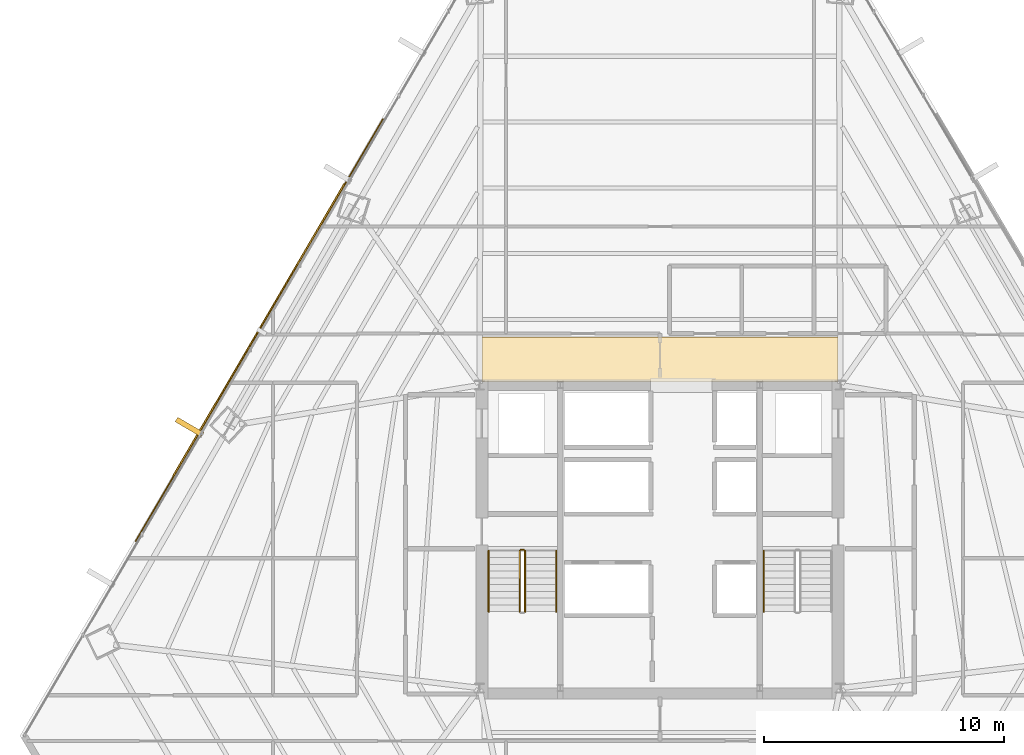
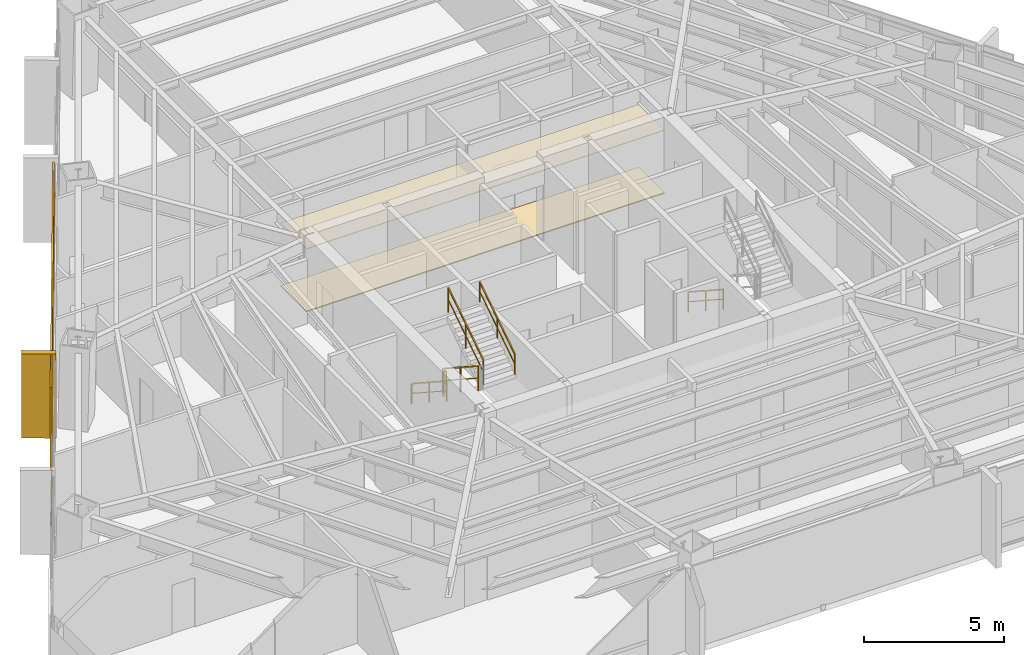
# One storey, part 35 of 37: 6 railings, 4 coverings, 1 shading device.
"""IFC4 building model written with IfcOpenShell, lengths in metres."""

from ifc_helpers import new_model, si_unit, direction, frame, origin, origin_2d, place, context, subcontext, project, spatial, polyline, rectangle, outline, extrude, source, transform, mapped, material, layer, layer_set, type_object, type_shapes, element, save


model = new_model("IFC4")

# Units and contexts
model_context = context("Model", 3, precision=1e-05, world=origin(), true_north=direction((0.0, 1.0)))
body_context = subcontext(model_context, "Body", "Model", "MODEL_VIEW")
ifc_project = project(units=[si_unit("LENGTHUNIT", "METRE"), si_unit("AREAUNIT", "SQUARE_METRE"), si_unit("VOLUMEUNIT", "CUBIC_METRE"), si_unit("PLANEANGLEUNIT", "RADIAN"), si_unit("MASSUNIT", "GRAM", prefix="KILO")], contexts=[model_context])

# Site, building, storey
site_placement = place(None, origin())
site = spatial("IfcSite", under=ifc_project, at=site_placement, CompositionType="ELEMENT")
building_placement = place(site_placement, origin())
building = spatial("IfcBuilding", under=site, at=building_placement, Name="Caelisora Broadcast Tower", CompositionType="ELEMENT")
storey_placement = place(building_placement, frame((0.0, 0.0, 101.75)))
storey = spatial("IfcBuildingStorey", under=building, at=storey_placement, Name="L26", CompositionType="ELEMENT", Elevation=101.75)

# Coverings
ifc_material_1 = material(Name="Perforated Mineral-Fibre Acoustic Ceiling Tile", Category="gypsum")
ifc_layer_1 = layer(ifc_material_1, 0.034912109375, Name="Perforated Mineral-Fibre Acoustic Ceiling Tile")
ifc_layer_set_1 = layer_set([ifc_layer_1], Name="Perforated Mineral-Fibre Acoustic Ceiling Tile")
covering_type_1 = type_object("IfcCoveringType", Name="CE-1", PredefinedType="CEILING", material=ifc_layer_set_1)
covering_1_placement = place(storey_placement, frame((0.0, 0.0, 2.75)))
element("IfcCovering", 1, at=covering_1_placement, inside=storey, type_object=covering_type_1, Name="L26 acoustic corridor ceiling CE-1 (N)", PredefinedType="CEILING", context=body_context, shape_type="SweptSolid", body=[
    extrude(outline(polyline([(30.60009765625, 30.14990234375), (45.39990234375, 30.14990234375), (45.39990234375, 32.0), (30.60009765625, 32.0), (30.60009765625, 30.14990234375)])), origin(), (0.0, 0.0, 1.0), 0.034912109375),
])
ifc_material_2 = material(Name="Anti-Static Broadcast Raised Access Floor Panel", Category="steel")
ifc_layer_2 = layer(ifc_material_2, 0.044921875, Name="Anti-Static Broadcast Raised Access Floor Panel")
ifc_layer_set_2 = layer_set([ifc_layer_2], Name="Anti-Static Broadcast Raised Access Floor Panel")
covering_type_2 = type_object("IfcCoveringType", Name="FL-1", PredefinedType="FLOORING", material=ifc_layer_set_2)
covering_2_placement = place(storey_placement, origin())
element("IfcCovering", 2, at=covering_2_placement, inside=storey, type_object=covering_type_2, Name="L26 broadcast raised access floor FL-1 (N)", PredefinedType="FLOORING", context=body_context, shape_type="SweptSolid", body=[
    extrude(outline(polyline([(30.60009765625, 30.14990234375), (45.39990234375, 30.14990234375), (45.39990234375, 32.0), (30.60009765625, 32.0), (30.60009765625, 30.14990234375)])), origin(), (0.0, 0.0, 1.0), 0.044921875),
])

# Railings
ifc_material_3 = material(Name="Galvanised Steel Safety Guardrail", Category="steel")
ifc_layer_3 = layer(ifc_material_3, 0.048095703125, Name="Galvanised Steel Safety Guardrail")
ifc_layer_set_3 = layer_set([ifc_layer_3], Name="Galvanised Steel Safety Guardrail")
railing_type_1 = type_object("IfcRailingType", Name="GR-1", PredefinedType="GUARDRAIL", material=ifc_layer_set_3)
railing_1_placement = place(storey_placement, frame((32.169921875, 23.10009765625, 0.1826171875)))
element("IfcRailing", 3, at=railing_1_placement, inside=storey, type_object=railing_type_1, Name="L26 ST-1 stair guard 1", PredefinedType="GUARDRAIL", context=body_context, shape_type="SweptSolid", body=[
    extrude(rectangle(XDim=0.048095703125, YDim=0.048095703125, at=origin_2d()), frame((0.0, 0.0, 1.076171875), z_axis=(0.0, -0.837786554691, 0.545997883492), x_axis=(1.0, 0.0, 0.0)), (0.0, 0.0, 1.0), 3.008056640625),
    extrude(rectangle(XDim=0.03125, YDim=0.03125, at=origin_2d()), frame((0.0, 0.0, 0.550048828125), z_axis=(0.0, -0.837786554691, 0.545997883492), x_axis=(1.0, 0.0, 0.0)), (0.0, 0.0, 1.0), 3.008056640625),
    extrude(rectangle(XDim=0.0419921875, YDim=0.0419921875, at=origin_2d()), origin(), (0.0, 0.0, 1.0), 1.052001953125),
    extrude(rectangle(XDim=0.0419921875, YDim=0.0419921875, at=origin_2d()), frame((0.0, -1.260009765625, 0.8212890625)), (0.0, 0.0, 1.0), 1.052001953125),
    extrude(rectangle(XDim=0.0419921875, YDim=0.0419921875, at=origin_2d()), frame((0.0, -2.52001953125, 1.642333984375)), (0.0, 0.0, 1.0), 1.052001953125),
])
railing_2_placement = place(storey_placement, frame((32.389892578125, 20.580078125, 2.007568359375)))
element("IfcRailing", 4, at=railing_2_placement, inside=storey, type_object=railing_type_1, Name="L26 ST-1 stair guard 3", PredefinedType="GUARDRAIL", context=body_context, shape_type="SweptSolid", body=[
    extrude(rectangle(XDim=0.048095703125, YDim=0.048095703125, at=origin_2d()), frame((0.0, 0.0, 1.076171875), z_axis=(0.0, 0.837786554691, 0.545997883492), x_axis=(-1.0, 0.0, 0.0)), (0.0, 0.0, 1.0), 3.008056640625),
    extrude(rectangle(XDim=0.03125, YDim=0.03125, at=origin_2d()), frame((0.0, 0.0, 0.550048828125), z_axis=(0.0, 0.837786554691, 0.545997883492), x_axis=(-1.0, 0.0, 0.0)), (0.0, 0.0, 1.0), 3.008056640625),
    extrude(rectangle(XDim=0.0419921875, YDim=0.0419921875, at=origin_2d()), origin(), (0.0, 0.0, 1.0), 1.052001953125),
    extrude(rectangle(XDim=0.0419921875, YDim=0.0419921875, at=origin_2d()), frame((0.0, 1.260009765625, 0.8212890625)), (0.0, 0.0, 1.0), 1.052001953125),
    extrude(rectangle(XDim=0.0419921875, YDim=0.0419921875, at=origin_2d()), frame((0.0, 2.52001953125, 1.642333984375)), (0.0, 0.0, 1.0), 1.052001953125),
])
railing_3_placement = place(storey_placement, frame((32.219970703125, 23.14990234375, 0.0)))
element("IfcRailing", 5, at=railing_3_placement, inside=storey, type_object=railing_type_1, Name="L26 ST-1 stair guard 4", PredefinedType="GUARDRAIL", context=body_context, shape_type="SweptSolid", body=[
    extrude(rectangle(XDim=0.048095703125, YDim=0.048095703125, at=origin_2d()), frame((0.0, 0.0, 1.076171875), z_axis=(1.0, 0.0, 0.0), x_axis=(0.0, 1.0, 0.0)), (0.0, 0.0, 1.0), 0.1201171875),
    extrude(rectangle(XDim=0.03125, YDim=0.03125, at=origin_2d()), frame((0.0, 0.0, 0.550048828125), z_axis=(1.0, 0.0, 0.0), x_axis=(0.0, 1.0, 0.0)), (0.0, 0.0, 1.0), 0.1201171875),
    extrude(rectangle(XDim=0.0419921875, YDim=0.0419921875, at=origin_2d()), origin(), (0.0, 0.0, 1.0), 1.052001953125),
    extrude(rectangle(XDim=0.0419921875, YDim=0.0419921875, at=origin_2d()), frame((0.1201171875, 0.0, 0.0)), (0.0, 0.0, 1.0), 1.052001953125),
])
ifc_material_4 = material(Name="Stainless Steel Grade 316 Tubular Handrail", Category="steel")
ifc_layer_4 = layer(ifc_material_4, 0.048095703125, Name="Stainless Steel Grade 316 Tubular Handrail")
ifc_layer_set_4 = layer_set([ifc_layer_4], Name="Stainless Steel Grade 316 Tubular Handrail")
railing_type_2 = type_object("IfcRailingType", Name="HR-1", PredefinedType="HANDRAIL", material=ifc_layer_set_4)
railing_4_placement = place(storey_placement, frame((30.8701171875, 23.10009765625, 0.1826171875)))
element("IfcRailing", 6, at=railing_4_placement, inside=storey, type_object=railing_type_2, Name="L26 ST-1 stair handrail 1", PredefinedType="HANDRAIL", context=body_context, shape_type="SweptSolid", body=[
    extrude(rectangle(XDim=0.048095703125, YDim=0.048095703125, at=origin_2d()), frame((0.0, 0.0, 0.8759765625), z_axis=(0.0, -0.837786554691, 0.545997883492), x_axis=(1.0, 0.0, 0.0)), (0.0, 0.0, 1.0), 3.008056640625),
    extrude(rectangle(XDim=0.03125, YDim=0.03125, at=origin_2d()), frame((0.0, 0.0, 0.449951171875), z_axis=(0.0, -0.837786554691, 0.545997883492), x_axis=(1.0, 0.0, 0.0)), (0.0, 0.0, 1.0), 3.008056640625),
    extrude(rectangle(XDim=0.0419921875, YDim=0.0419921875, at=origin_2d()), origin(), (0.0, 0.0, 1.0), 0.851806640625),
    extrude(rectangle(XDim=0.0419921875, YDim=0.0419921875, at=origin_2d()), frame((0.0, -1.260009765625, 0.8212890625)), (0.0, 0.0, 1.0), 0.851806640625),
    extrude(rectangle(XDim=0.0419921875, YDim=0.0419921875, at=origin_2d()), frame((0.0, -2.52001953125, 1.642333984375)), (0.0, 0.0, 1.0), 0.851806640625),
])
railing_5_placement = place(storey_placement, frame((33.68994140625, 20.580078125, 2.007568359375)))
element("IfcRailing", 7, at=railing_5_placement, inside=storey, type_object=railing_type_2, Name="L26 ST-1 stair handrail 2", PredefinedType="HANDRAIL", context=body_context, shape_type="SweptSolid", body=[
    extrude(rectangle(XDim=0.048095703125, YDim=0.048095703125, at=origin_2d()), frame((0.0, 0.0, 0.8759765625), z_axis=(0.0, 0.837786554691, 0.545997883492), x_axis=(-1.0, 0.0, 0.0)), (0.0, 0.0, 1.0), 3.008056640625),
    extrude(rectangle(XDim=0.03125, YDim=0.03125, at=origin_2d()), frame((0.0, 0.0, 0.449951171875), z_axis=(0.0, 0.837786554691, 0.545997883492), x_axis=(-1.0, 0.0, 0.0)), (0.0, 0.0, 1.0), 3.008056640625),
    extrude(rectangle(XDim=0.0419921875, YDim=0.0419921875, at=origin_2d()), origin(), (0.0, 0.0, 1.0), 0.851806640625),
    extrude(rectangle(XDim=0.0419921875, YDim=0.0419921875, at=origin_2d()), frame((0.0, 1.260009765625, 0.8212890625)), (0.0, 0.0, 1.0), 0.851806640625),
    extrude(rectangle(XDim=0.0419921875, YDim=0.0419921875, at=origin_2d()), frame((0.0, 2.52001953125, 1.642333984375)), (0.0, 0.0, 1.0), 0.851806640625),
])
railing_6_placement = place(storey_placement, frame((42.31005859375, 23.10009765625, 0.1826171875)))
element("IfcRailing", 8, at=railing_6_placement, inside=storey, type_object=railing_type_2, Name="L26 ST-2 stair handrail 1", PredefinedType="HANDRAIL", context=body_context, shape_type="SweptSolid", body=[
    extrude(rectangle(XDim=0.048095703125, YDim=0.048095703125, at=origin_2d()), frame((0.0, 0.0, 0.8759765625), z_axis=(0.0, -0.837786554691, 0.545997883492), x_axis=(1.0, 0.0, 0.0)), (0.0, 0.0, 1.0), 3.008056640625),
    extrude(rectangle(XDim=0.03125, YDim=0.03125, at=origin_2d()), frame((0.0, 0.0, 0.449951171875), z_axis=(0.0, -0.837786554691, 0.545997883492), x_axis=(1.0, 0.0, 0.0)), (0.0, 0.0, 1.0), 3.008056640625),
    extrude(rectangle(XDim=0.0419921875, YDim=0.0419921875, at=origin_2d()), origin(), (0.0, 0.0, 1.0), 0.851806640625),
    extrude(rectangle(XDim=0.0419921875, YDim=0.0419921875, at=origin_2d()), frame((0.0, -1.260009765625, 0.8212890625)), (0.0, 0.0, 1.0), 0.851806640625),
    extrude(rectangle(XDim=0.0419921875, YDim=0.0419921875, at=origin_2d()), frame((0.0, -2.52001953125, 1.642333984375)), (0.0, 0.0, 1.0), 0.851806640625),
])

# Covering
ifc_material_5 = material(Name="Kiln-Fired Terracotta Spandrel Rainscreen Cladding", Category="ceramic")
ifc_layer_5 = layer(ifc_material_5, 0.044921875, Name="Kiln-Fired Terracotta Spandrel Rainscreen Cladding")
ifc_layer_set_5 = layer_set([ifc_layer_5], Name="Kiln-Fired Terracotta Spandrel Rainscreen Cladding")
covering_type_3 = type_object("IfcCoveringType", Name="CL-1", PredefinedType="CLADDING", material=ifc_layer_set_5)
shared_shape_1 = source(origin(), body_context, "Body", "SweptSolid", [
    extrude(rectangle(XDim=0.219970703125, YDim=1.25, at=origin_2d()), origin(), (0.0, 0.0, 1.0), 3.68994140625),
])
covering_3_placement = place(storey_placement, frame((18.4306640625, 28.252685546875, -0.02001953125), z_axis=(0.0, 0.0, 1.0), x_axis=(0.505431492718, 0.862866737202, 0.0)))
element("IfcCovering", 9, at=covering_3_placement, inside=storey, type_object=covering_type_3, Name="L26 vertical solar fin cladding #3-2", PredefinedType="CLADDING", context=body_context, shape_type="MappedRepresentation", body=[
    mapped(shared_shape_1, transform((0.0, 0.0, 0.0), scale=1.0)),
])

# Shading device
ifc_material_6 = material(Name="Perforated Glazed Terracotta Baguette Solar Screen", Category="ceramic")
ifc_layer_6 = layer(ifc_material_6, 0.06494140625, Name="Perforated Glazed Terracotta Baguette Solar Screen")
ifc_layer_set_6 = layer_set([ifc_layer_6], Name="Perforated Glazed Terracotta Baguette Solar Screen")
shading_device_type = type_object("IfcShadingDeviceType", Name="SS-1", PredefinedType="USERDEFINED", material=ifc_layer_set_6)
shared_shape_2 = source(origin(), body_context, "Body", "SweptSolid", [
    extrude(rectangle(XDim=14.10107421875, YDim=0.06494140625, at=origin_2d()), origin(), (0.0, 0.0, 1.0), 3.590087890625),
])
type_shapes(shading_device_type, [shared_shape_2])
shading_device_placement = place(storey_placement, frame((21.318115234375, 32.291259765625, 0.0), z_axis=(0.0, 0.0, 1.0), x_axis=(-0.505431492718, -0.862866737202, 0.0)))
element("IfcShadingDevice", 10, at=shading_device_placement, inside=storey, type_object=shading_device_type, Name="L26 perforated terracotta solar screen #1", ObjectType="SOLAR SCREEN", PredefinedType="USERDEFINED", context=body_context, shape_type="MappedRepresentation", body=[
    mapped(shared_shape_2, transform((0.0, 0.0, 0.0), scale=1.0)),
])

# Covering
shared_shape_3 = source(origin(), body_context, "Body", "SweptSolid", [
    extrude(rectangle(XDim=20.367919921875, YDim=0.044921875, at=origin_2d()), origin(), (0.0, 0.0, 1.0), 0.340087890625),
])
type_shapes(covering_type_3, [shared_shape_1, shared_shape_3])
covering_4_placement = place(storey_placement, frame((21.335205078125, 32.28125, -0.27001953125), z_axis=(0.0, 0.0, 1.0), x_axis=(-0.505431492718, -0.862866737202, 0.0)))
element("IfcCovering", 11, at=covering_4_placement, inside=storey, type_object=covering_type_3, Name="L26 terracotta spandrel rainscreen #1", PredefinedType="CLADDING", context=body_context, shape_type="MappedRepresentation", body=[
    mapped(shared_shape_3, transform((0.0, 0.0, 0.0), scale=1.0)),
])

save(model, "model.ifc")
